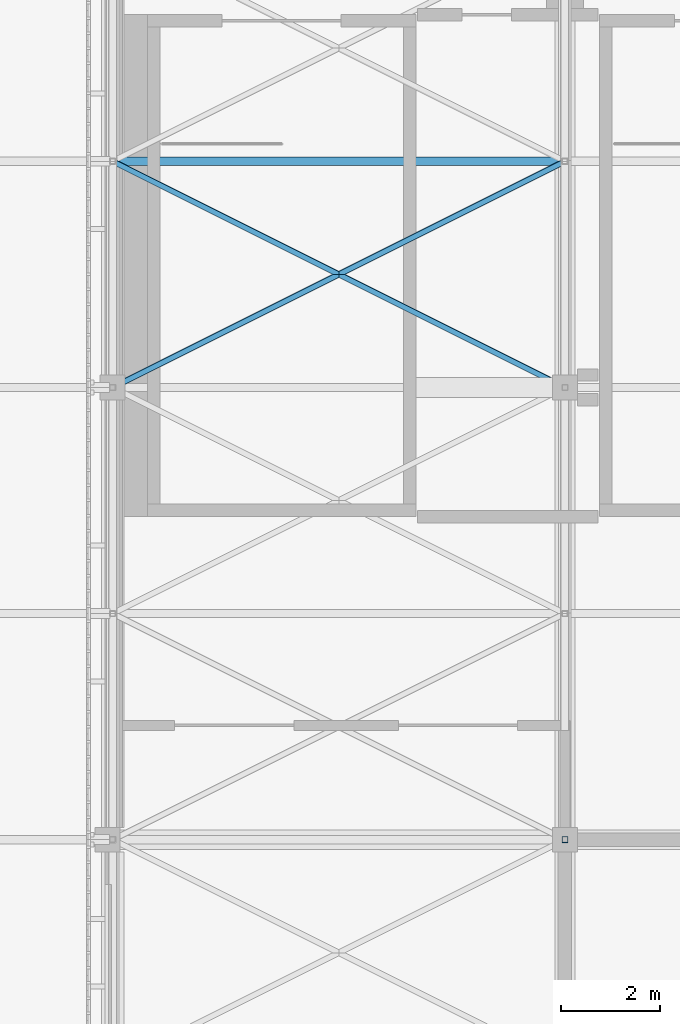
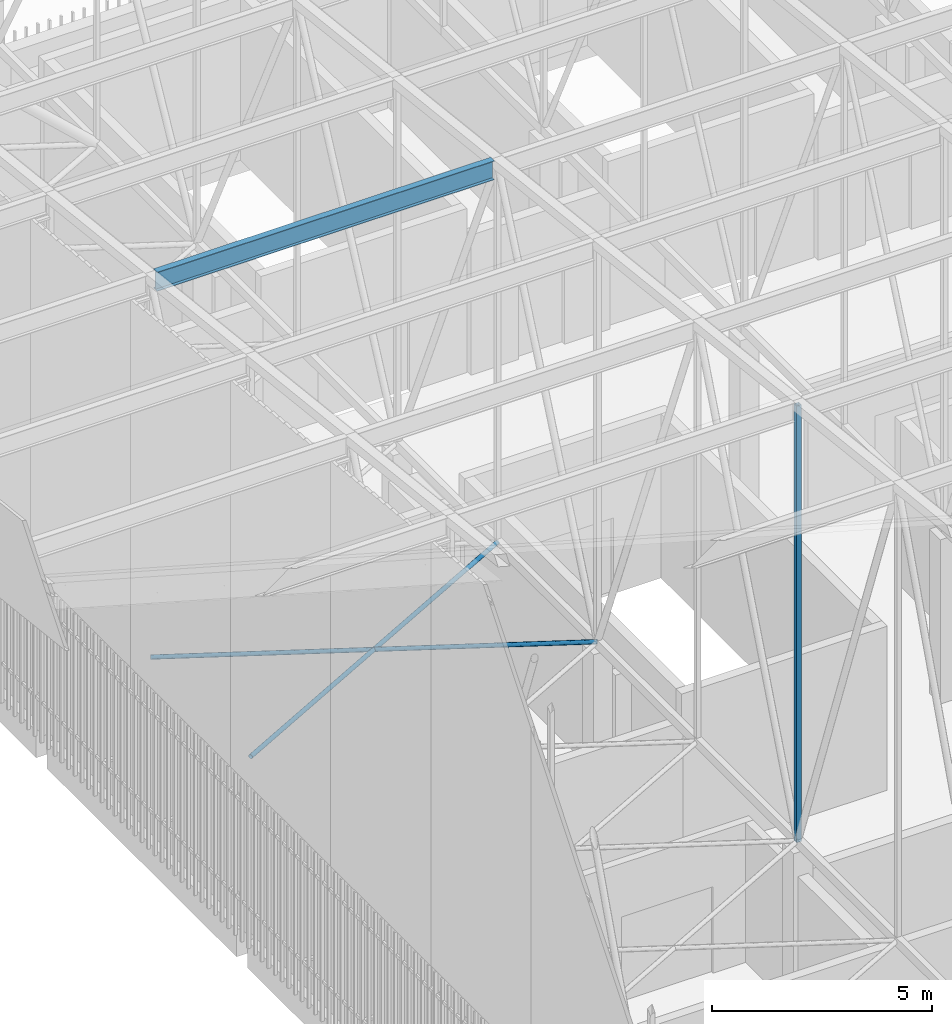
# One storey, part 183 of 500: 4 members.
"""IFC4 building model written with IfcOpenShell, lengths in metres."""

from ifc_helpers import new_model, si_unit, direction, frame, origin, origin_2d, place, context, subcontext, project, spatial, hollow_rectangle, hollow_circle, i_section, extrude, material, material_profile, profile_set, type_object, element, save


model = new_model("IFC4")

# Units and contexts
model_context = context("Model", 3, precision=1e-05, world=origin(), true_north=direction((0.0, 1.0)))
body_context = subcontext(model_context, "Body", "Model", "MODEL_VIEW")
ifc_project = project(units=[si_unit("LENGTHUNIT", "METRE"), si_unit("AREAUNIT", "SQUARE_METRE"), si_unit("VOLUMEUNIT", "CUBIC_METRE"), si_unit("PLANEANGLEUNIT", "RADIAN"), si_unit("MASSUNIT", "GRAM", prefix="KILO")], contexts=[model_context])

# Site, building, storey
site_placement = place(None, origin())
site = spatial("IfcSite", under=ifc_project, at=site_placement, CompositionType="ELEMENT")
building_placement = place(site_placement, origin())
building = spatial("IfcBuilding", under=site, at=building_placement, Name="Shirokan Park Arena", CompositionType="ELEMENT")
storey_placement = place(building_placement, frame((0.0, 0.0, 29.1201171875)))
storey = spatial("IfcBuildingStorey", under=building, at=storey_placement, Name="L06", CompositionType="ELEMENT", Elevation=29.1201171875)

# Members
ifc_material_1 = material(Name="Steel ASTM A500 Grade C", Category="steel")
ifc_material_profile_1 = material_profile(ifc_material_1, hollow_circle(Radius=0.056884765625, WallThickness=0.006103515625, at=origin_2d()), Name="HSS114.3X6")
ifc_profile_set_1 = profile_set([ifc_material_profile_1], Name="Steel ASTM A500 Grade C")
member_type_1 = type_object("IfcMemberType", Name="Plan bracing HSS114.3X6", PredefinedType="BRACE", material=ifc_profile_set_1)
for number, where, z_axis, x_axis, name in (
    (1, (0.0, 81.89990234375, 4.677001953125), (0.894427191, 0.4472135955, 0.0), (-0.4472135955, 0.894427191, 0.0), "Plan bracing bay 1 panel 21 A"),
    (2, (9.10009765625, 81.89990234375, 4.677001953125), (-0.894427191, 0.4472135955, 0.0), (-0.4472135955, -0.894427191, 0.0), "Plan bracing bay 1 panel 21 B"),
):
    element("IfcMember", number, at=place(storey_placement, frame(where, z_axis=z_axis, x_axis=x_axis)), inside=storey, type_object=member_type_1, Name=name, PredefinedType="BRACE", context=body_context, shape_type="SweptSolid", body=[
        extrude(hollow_circle(Radius=0.056884765625, WallThickness=0.006103515625, at=origin_2d()), origin(), (0.0, 0.0, 1.0), 10.17431640625),
    ])
ifc_material_2 = material(Name="Steel ASTM A992", Category="steel")
ifc_material_profile_2 = material_profile(ifc_material_2, i_section(OverallWidth=0.166015625, OverallDepth=0.528076171875, WebThickness=0.009765625, FlangeThickness=0.013671875, at=origin_2d()), Name="W530X74")
ifc_profile_set_2 = profile_set([ifc_material_profile_2], Name="Steel ASTM A992")
member_type_2 = type_object("IfcMemberType", Name="Purlin W530X74", PredefinedType="PURLIN", material=ifc_profile_set_2)
member_1_placement = place(storey_placement, frame((0.126953125, 86.449951171875, 15.0859375), z_axis=(1.0, 0.0, 0.0), x_axis=(0.0, 1.0, 0.0)))
element("IfcMember", 3, at=member_1_placement, inside=storey, type_object=member_type_2, Name="Purlin 22 bay 1", PredefinedType="PURLIN", context=body_context, shape_type="SweptSolid", body=[
    extrude(i_section(OverallWidth=0.166015625, OverallDepth=0.528076171875, WebThickness=0.009765625, FlangeThickness=0.013671875, at=origin_2d()), origin(), (0.0, 0.0, 1.0), 8.845947265625),
])
ifc_material_profile_3 = material_profile(ifc_material_1, hollow_rectangle(XDim=0.126953125, YDim=0.126953125, WallThickness=0.0126953125, at=origin_2d()), Name="HSS127X127X12.7")
ifc_profile_set_3 = profile_set([ifc_material_profile_3], Name="Steel ASTM A500 Grade C")
member_type_3 = type_object("IfcMemberType", Name="Truss post HSS127X127X12.7", PredefinedType="POST", material=ifc_profile_set_3)
member_2_placement = place(storey_placement, frame((9.10009765625, 72.800048828125, 4.677001953125), z_axis=(0.0, 0.0, 1.0), x_axis=(1.0, 0.0, 0.0)))
element("IfcMember", 4, at=member_2_placement, inside=storey, type_object=member_type_3, Name="Truss T02 post 19", PredefinedType="POST", context=body_context, shape_type="SweptSolid", body=[
    extrude(hollow_rectangle(XDim=0.126953125, YDim=0.126953125, WallThickness=0.0126953125, at=origin_2d()), origin(), (0.0, 0.0, 1.0), 12.10595703125),
])

save(model, "model.ifc")
